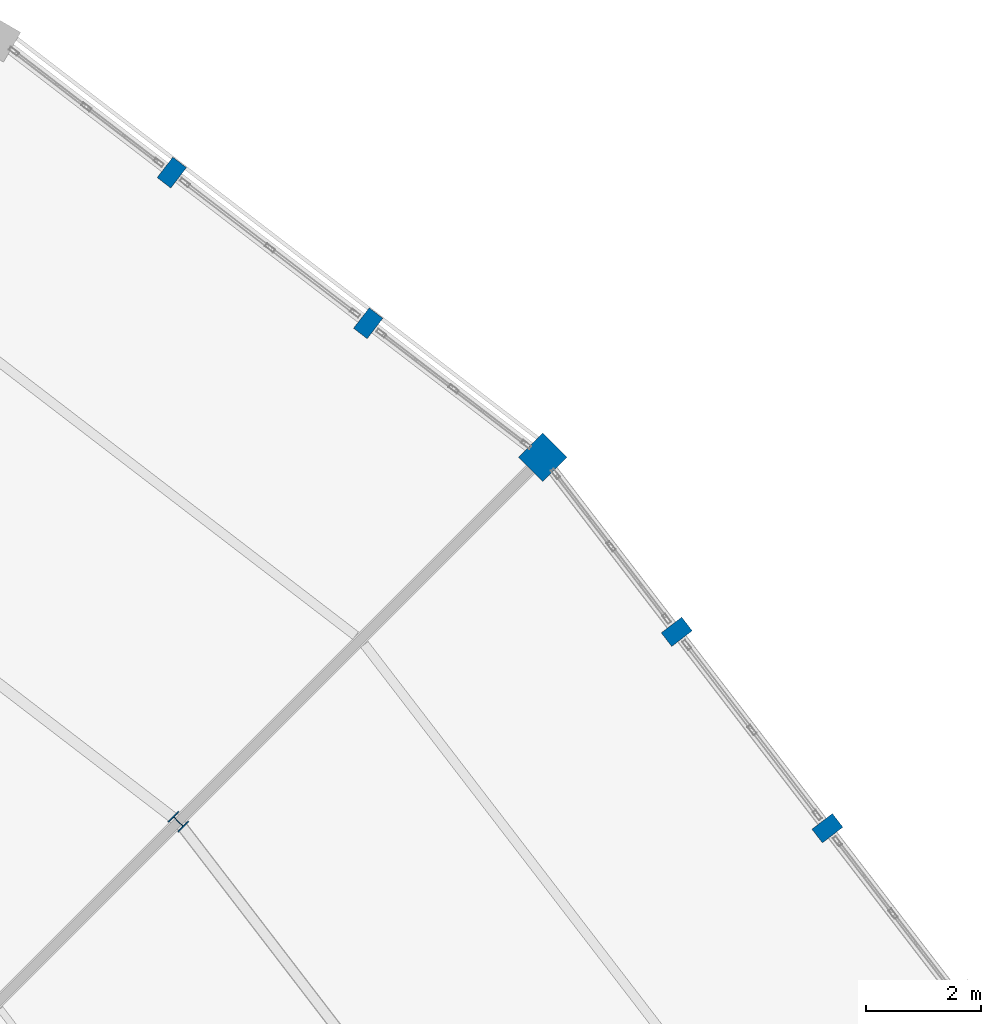
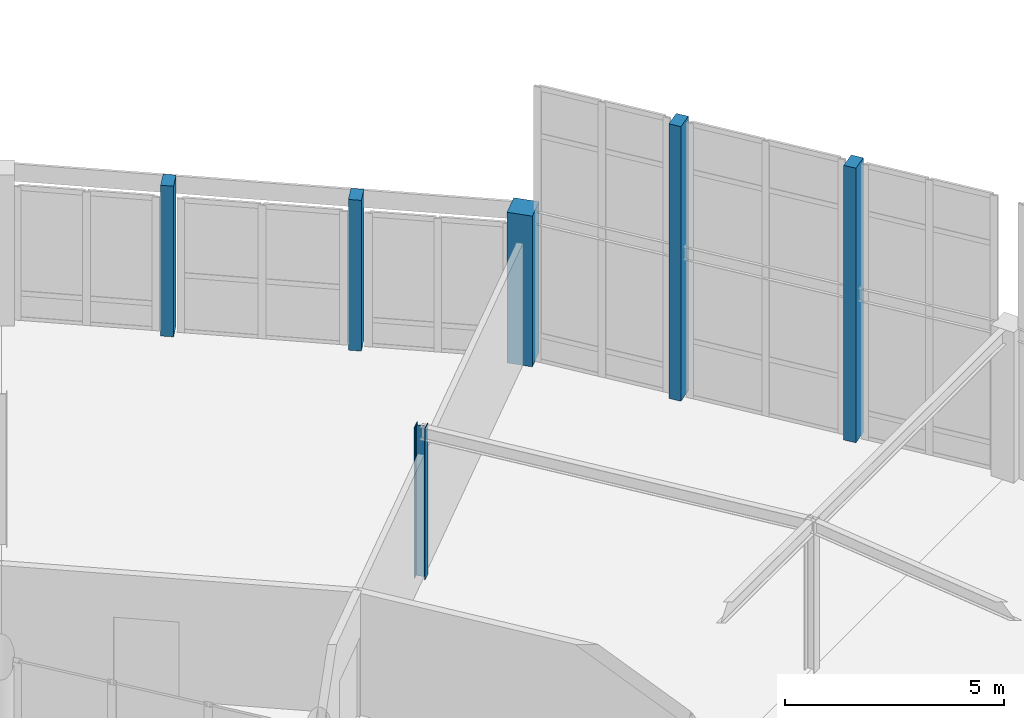
# One storey, part 18 of 185: 6 columns.
"""IFC4 building model written with IfcOpenShell, lengths in metres."""

from ifc_helpers import new_model, si_unit, direction, frame, origin, origin_2d, place, context, subcontext, project, spatial, rectangle, i_section, extrude, material, material_profile, profile_set, type_object, element, save


model = new_model("IFC4")

# Units and contexts
model_context = context("Model", 3, precision=1e-05, world=origin(), true_north=direction((0.0, 1.0)))
body_context = subcontext(model_context, "Body", "Model", "MODEL_VIEW")
ifc_project = project(units=[si_unit("LENGTHUNIT", "METRE"), si_unit("AREAUNIT", "SQUARE_METRE"), si_unit("VOLUMEUNIT", "CUBIC_METRE"), si_unit("PLANEANGLEUNIT", "RADIAN"), si_unit("MASSUNIT", "GRAM", prefix="KILO")], contexts=[model_context])

# Site, building, storey
site_placement = place(None, origin())
site = spatial("IfcSite", under=ifc_project, at=site_placement, CompositionType="ELEMENT")
building_placement = place(site_placement, origin())
building = spatial("IfcBuilding", under=site, at=building_placement, Name="Vondelvale Polytechnic", CompositionType="ELEMENT")
storey_placement = place(building_placement, frame((0.0, 0.0, 9.60009765625)))
storey = spatial("IfcBuildingStorey", under=building, at=storey_placement, Name="L02", CompositionType="ELEMENT", Elevation=9.60009765625)

# Columns
ifc_material_1 = material(Name="Glulam GL18 structural Tasmanian oak (fb = 42 MPa)", Category="wood")
ifc_material_profile_1 = material_profile(ifc_material_1, rectangle(XDim=0.300048828125, YDim=0.449951171875, at=origin_2d()), Name="GL-POST-300x450")
ifc_profile_set_1 = profile_set([ifc_material_profile_1], Name="Glulam GL18 structural Tasmanian oak (fb = 42 MPa)")
column_type_1 = type_object("IfcColumnType", Name="COL-GLULAM-300x450", PredefinedType="PILASTER", material=ifc_profile_set_1)
for number, where, z_axis, x_axis, name in (
    (1, (139.497802734375, 98.048583984375, 0.0), (0.0, 0.0, 1.0), (-0.608761429009, 0.793353340291, 0.0), "L02 ring outer glulam timber post C02-P1"),
    (2, (136.8662109375, 101.478271484375, 0.0), (0.0, 0.0, 1.0), (-0.608761429009, 0.793353340291, 0.0), "L02 ring outer glulam timber post C02-P2"),
):
    element("IfcColumn", number, at=place(storey_placement, frame(where, z_axis=z_axis, x_axis=x_axis)), inside=storey, type_object=column_type_1, Name=name, PredefinedType="PILASTER", context=body_context, shape_type="SweptSolid", body=[
        extrude(rectangle(XDim=0.300048828125, YDim=0.449951171875, at=origin_2d()), origin(), (0.0, 0.0, 1.0), 7.6513671875),
    ])
for number, where, z_axis, x_axis, name in (
    (3, (131.478271484375, 106.8662109375, 0.0), (0.0, 0.0, 1.0), (-0.793353340291, 0.608761429009, 0.0), "L02 ring outer glulam timber post C03-P1"),
    (4, (128.048583984375, 109.497802734375, 0.0), (0.0, 0.0, 1.0), (-0.793353340291, 0.608761429009, 0.0), "L02 ring outer glulam timber post C03-P2"),
):
    element("IfcColumn", number, at=place(storey_placement, frame(where, z_axis=z_axis, x_axis=x_axis)), inside=storey, type_object=column_type_1, Name=name, PredefinedType="PILASTER", context=body_context, shape_type="SweptSolid", body=[
        extrude(rectangle(XDim=0.300048828125, YDim=0.449951171875, at=origin_2d()), origin(), (0.0, 0.0, 1.0), 4.199951171875),
    ])
ifc_material_2 = material(Name="Concrete N50 (f'c = 50 MPa)", Category="concrete")
ifc_material_profile_2 = material_profile(ifc_material_2, rectangle(XDim=0.60009765625, YDim=0.60009765625, at=origin_2d()), Name="RC-COL-600x600")
ifc_profile_set_2 = profile_set([ifc_material_profile_2], Name="Concrete N50 (f'c = 50 MPa)")
column_type_2 = type_object("IfcColumnType", Name="COL-RC600", PredefinedType="COLUMN", material=ifc_profile_set_2)
column_1_placement = place(storey_placement, frame((134.52685546875, 104.52685546875, 0.0), z_axis=(0.0, 0.0, 1.0), x_axis=(0.707106781187, 0.707106781187, 0.0)))
element("IfcColumn", 5, at=column_1_placement, inside=storey, type_object=column_type_2, Name="L02 courtyard ring column S03-RO", PredefinedType="COLUMN", context=body_context, shape_type="SweptSolid", body=[
    extrude(rectangle(XDim=0.60009765625, YDim=0.60009765625, at=origin_2d()), origin(), (0.0, 0.0, 1.0), 4.199951171875),
])
ifc_material_3 = material(Name="Steel 300PLUS (fy = 300 MPa)", Category="steel")
ifc_material_profile_3 = material_profile(ifc_material_3, i_section(OverallWidth=0.256103515625, OverallDepth=0.260009765625, WebThickness=0.010498046875, FlangeThickness=0.017333984375, FilletRadius=0.013916015625, at=origin_2d()), Name="250UC89.5")
ifc_profile_set_3 = profile_set([ifc_material_profile_3], Name="Steel 300PLUS (fy = 300 MPa)")
column_type_3 = type_object("IfcColumnType", Name="COL-UC250", PredefinedType="COLUMN", material=ifc_profile_set_3)
column_2_placement = place(storey_placement, frame((128.1630859375, 98.1630859375, 0.0), z_axis=(0.0, 0.0, 1.0), x_axis=(0.707106781187, 0.707106781187, 0.0)))
element("IfcColumn", 6, at=column_2_placement, inside=storey, type_object=column_type_3, Name="L02 courtyard ring column S03-RM", PredefinedType="COLUMN", context=body_context, shape_type="SweptSolid", body=[
    extrude(i_section(OverallWidth=0.256103515625, OverallDepth=0.260009765625, WebThickness=0.010498046875, FlangeThickness=0.017333984375, FilletRadius=0.013916015625, at=origin_2d()), origin(), (0.0, 0.0, 1.0), 4.199951171875),
])

save(model, "model.ifc")
